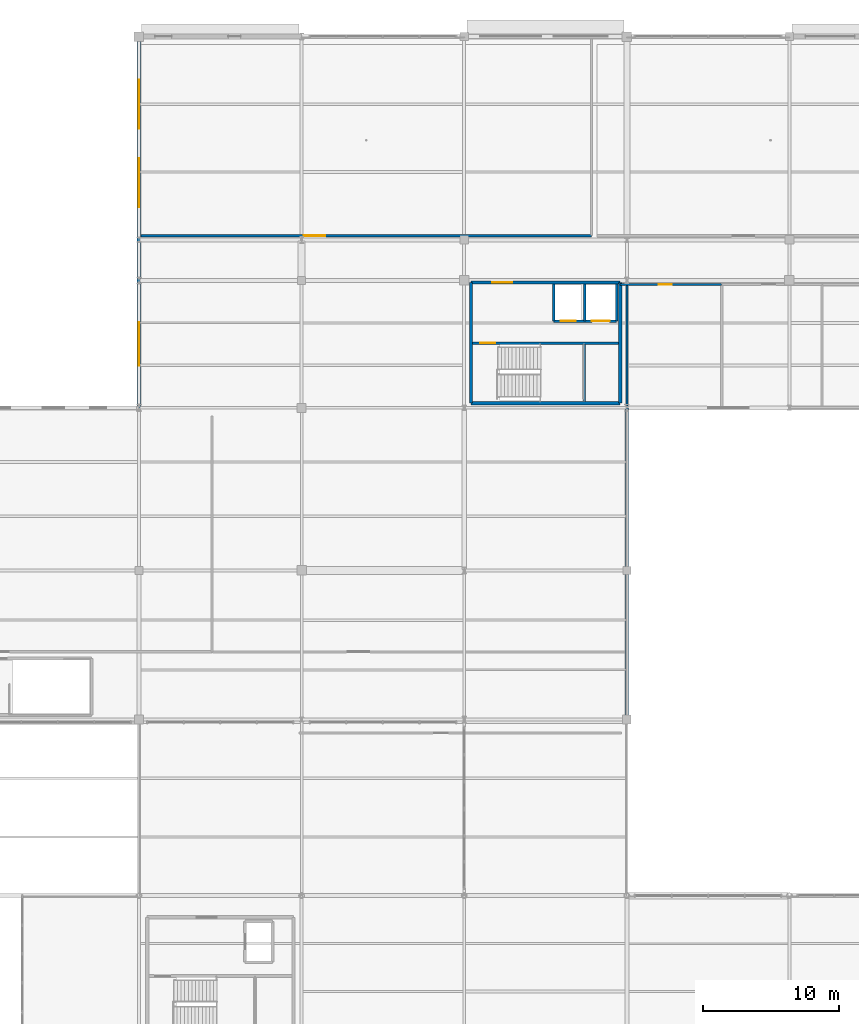
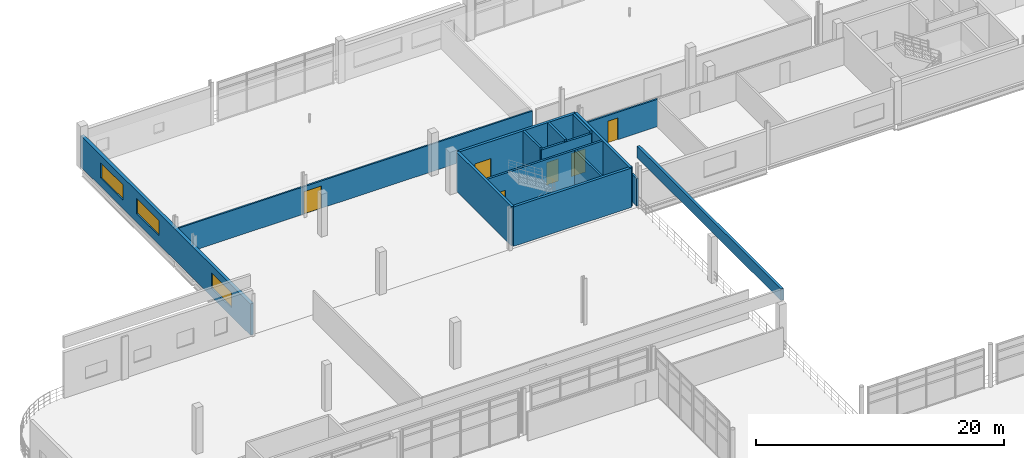
# One storey, part 67 of 89: 15 walls, 6 doors, 3 windows, 9 openings.
"""IFC4 building model written with IfcOpenShell, lengths in metres."""

from ifc_helpers import new_model, si_unit, direction, frame, frame_2d, origin, place, context, subcontext, project, spatial, rectangle, extrude, material, layer, layer_set, type_object, element, fill, save


model = new_model("IFC4")

# Units and contexts
model_context = context("Model", 3, precision=1e-05, world=origin(), true_north=direction((0.0, 1.0)))
body_context = subcontext(model_context, "Body", "Model", "MODEL_VIEW")
ifc_project = project(units=[si_unit("LENGTHUNIT", "METRE"), si_unit("AREAUNIT", "SQUARE_METRE"), si_unit("VOLUMEUNIT", "CUBIC_METRE"), si_unit("PLANEANGLEUNIT", "RADIAN"), si_unit("MASSUNIT", "GRAM", prefix="KILO"), si_unit("THERMODYNAMICTEMPERATUREUNIT", "KELVIN"), si_unit("POWERUNIT", "WATT")], contexts=[model_context])

# Site, building, storey
site_placement = place(None, origin())
site = spatial("IfcSite", under=ifc_project, at=site_placement, CompositionType="ELEMENT")
building_placement = place(site_placement, origin())
building = spatial("IfcBuilding", under=site, at=building_placement, Name="Solmara Park Aquatics Centre", CompositionType="ELEMENT")
storey_placement = place(building_placement, frame((0.0, 0.0, 5.39990234375)))
storey = spatial("IfcBuildingStorey", under=building, at=storey_placement, Name="L01", CompositionType="ELEMENT", Elevation=5.39990234375)

# Wall
ifc_material_1 = material(Name="Concrete C40/50", Category="concrete")
ifc_layer_1 = layer(ifc_material_1, 0.25, Name="Concrete C40/50")
ifc_layer_set_1 = layer_set([ifc_layer_1], Name="Concrete C40/50")
wall_type_1 = type_object("IfcWallType", Name="ARC-WL-CORE250", PredefinedType="SHEAR", material=ifc_layer_set_1)
wall_1_placement = place(storey_placement, frame((49.10009765625, 108.949951171875, 0.0), z_axis=(0.0, 0.0, 1.0), x_axis=(1.0, 0.0, 0.0)))
element("IfcWall", 1, at=wall_1_placement, inside=storey, type_object=wall_type_1, Name="CORE-1 Core Wall S L01", PredefinedType="SHEAR", context=body_context, shape_type="SweptSolid", body=[
    extrude(rectangle(XDim=11.0, YDim=0.25, at=frame_2d((5.5, 0.0))), origin(), (0.0, 0.0, 1.0), 3.880126953125),
])

# Wall, opening, door
wall_2_placement = place(storey_placement, frame((49.10009765625, 117.85009765625, 0.0), z_axis=(0.0, 0.0, 1.0), x_axis=(1.0, 0.0, 0.0)))
wall_2 = element("IfcWall", 2, at=wall_2_placement, inside=storey, type_object=wall_type_1, Name="CORE-1 Core Wall N L01", PredefinedType="SHEAR", context=body_context, shape_type="SweptSolid", body=[
    extrude(rectangle(XDim=11.0, YDim=0.25, at=frame_2d((5.5, 0.0))), origin(), (0.0, 0.0, 1.0), 3.880126953125),
])
opening_1_placement = place(wall_2_placement, frame((1.550048828125, 0.0, 0.0)))
opening_1 = element("IfcOpeningElement", 3, at=opening_1_placement, cuts=wall_2, Name="Opening D-12", PredefinedType="OPENING", context=body_context, shape_type="SweptSolid", body=[
    extrude(rectangle(XDim=1.5, YDim=2.199951171875, at=frame_2d((0.75, 1.10009765625))), frame((0.0, 0.135009765625, 0.0), z_axis=(0.0, -1.0, 0.0), x_axis=(1.0, 0.0, 0.0)), (0.0, 0.0, 1.0), 0.27001953125),
])
ifc_material_2 = material(Name="Moisture-Resistant HPL & Hardwood", Category="wood")
door_type_1 = type_object("IfcDoorType", Name="ARC-DR-FD150x220", OperationType="DOUBLE_DOOR_SINGLE_SWING", PredefinedType="DOOR", material=ifc_material_2)
door_1_placement = place(opening_1_placement, origin())
door_1 = element("IfcDoor", 4, at=door_1_placement, inside=storey, type_object=door_type_1, Name="CORE-1 Lobby Entry Fire Door L01", OperationType="DOUBLE_DOOR_SINGLE_SWING", OverallHeight=2.199951171875, OverallWidth=1.5, PredefinedType="DOOR", context=body_context, shape_type="SweptSolid", body=[
    extrude(rectangle(XDim=1.5, YDim=2.199951171875, at=frame_2d((0.75, 1.10009765625))), frame((0.0, 0.02490234375, 0.0), z_axis=(0.0, -1.0, 0.0), x_axis=(1.0, 0.0, 0.0)), (0.0, 0.0, 1.0), 0.050048828125),
])
fill(opening_1, door_1)

# Walls
for number, where, z_axis, x_axis, name in (
    (5, (49.10009765625, 108.949951171875, 0.0), (0.0, 0.0, 1.0), (0.0, 1.0, 0.0), "CORE-1 Core Wall W L01"),
    (6, (60.10009765625, 108.949951171875, 0.0), (0.0, 0.0, 1.0), (0.0, 1.0, 0.0), "CORE-1 Core Wall E L01"),
):
    element("IfcWall", number, at=place(storey_placement, frame(where, z_axis=z_axis, x_axis=x_axis)), inside=storey, type_object=wall_type_1, Name=name, PredefinedType="SHEAR", context=body_context, shape_type="SweptSolid", body=[
        extrude(rectangle(XDim=8.900146484375, YDim=0.25, at=frame_2d((4.4501953125, 0.0))), origin(), (0.0, 0.0, 1.0), 3.880126953125),
    ])

# Wall, openings, windows
ifc_material_3 = material(Name="Insulated Limestone Render Wall", Category="masonry")
ifc_layer_2 = layer(ifc_material_3, 0.300048828125, Name="Insulated Limestone Render Wall")
ifc_layer_set_2 = layer_set([ifc_layer_2], Name="Insulated Limestone Render Wall")
wall_type_2 = type_object("IfcWallType", Name="ARC-WL-EXT300", PredefinedType="SOLIDWALL", material=ifc_layer_set_2)
wall_3_placement = place(storey_placement, frame((24.60009765625, 108.60009765625, 0.0), z_axis=(0.0, 0.0, 1.0), x_axis=(0.0, 1.0, 0.0)))
wall_3 = element("IfcWall", 7, at=wall_3_placement, inside=storey, type_object=wall_type_2, Name="Exterior Facade Wall EW-L01-028", PredefinedType="SOLIDWALL", context=body_context, shape_type="SweptSolid", body=[
    extrude(rectangle(XDim=27.39990234375, YDim=0.300048828125, at=frame_2d((13.699951171875, 0.0))), origin(), (0.0, 0.0, 1.0), 3.080078125),
])
opening_2_placement = place(wall_3_placement, frame((3.10009765625, 0.0, 0.85009765625)))
opening_2 = element("IfcOpeningElement", 8, at=opening_2_placement, cuts=wall_3, Name="Opening W-14", PredefinedType="OPENING", context=body_context, shape_type="SweptSolid", body=[
    extrude(rectangle(XDim=3.199951171875, YDim=1.5, at=frame_2d((1.60009765625, 0.75))), frame((0.0, 0.159912109375, 0.0), z_axis=(0.0, -1.0, 0.0), x_axis=(1.0, 0.0, 0.0)), (0.0, 0.0, 1.0), 0.320068359375),
])
opening_3_placement = place(wall_3_placement, frame((14.800048828125, 0.0, 0.85009765625)))
opening_3 = element("IfcOpeningElement", 9, at=opening_3_placement, cuts=wall_3, Name="Opening W-13", PredefinedType="OPENING", context=body_context, shape_type="SweptSolid", body=[
    extrude(rectangle(XDim=3.60009765625, YDim=1.5, at=frame_2d((1.800048828125, 0.75))), frame((0.0, 0.159912109375, 0.0), z_axis=(0.0, -1.0, 0.0), x_axis=(1.0, 0.0, 0.0)), (0.0, 0.0, 1.0), 0.320068359375),
])
opening_4_placement = place(wall_3_placement, frame((20.60009765625, 0.0, 0.85009765625)))
opening_4 = element("IfcOpeningElement", 10, at=opening_4_placement, cuts=wall_3, Name="Opening W-13", PredefinedType="OPENING", context=body_context, shape_type="SweptSolid", body=[
    extrude(rectangle(XDim=3.60009765625, YDim=1.5, at=frame_2d((1.800048828125, 0.75))), frame((0.0, 0.159912109375, 0.0), z_axis=(0.0, -1.0, 0.0), x_axis=(1.0, 0.0, 0.0)), (0.0, 0.0, 1.0), 0.320068359375),
])
ifc_material_4 = material(Name="Thermally Broken Aluminium and Low-E Double Glazing", Category="aluminium")
window_type_1 = type_object("IfcWindowType", Name="ARC-WN-320x150", PartitioningType="DOUBLE_PANEL_HORIZONTAL", PredefinedType="WINDOW", material=ifc_material_4)
window_1_placement = place(opening_2_placement, origin())
window_1 = element("IfcWindow", 11, at=window_1_placement, inside=storey, type_object=window_type_1, Name="Ribbon Window WN-068", OverallHeight=1.5, OverallWidth=3.199951171875, PartitioningType="DOUBLE_PANEL_HORIZONTAL", PredefinedType="WINDOW", context=body_context, shape_type="SweptSolid", body=[
    extrude(rectangle(XDim=3.199951171875, YDim=1.5, at=frame_2d((1.60009765625, 0.75))), frame((0.0, 0.030029296875, 0.0), z_axis=(0.0, -1.0, 0.0), x_axis=(1.0, 0.0, 0.0)), (0.0, 0.0, 1.0), 0.06005859375),
])
fill(opening_2, window_1)
window_type_2 = type_object("IfcWindowType", Name="ARC-WN-360x150", PartitioningType="TRIPLE_PANEL_HORIZONTAL", PredefinedType="WINDOW", material=ifc_material_4)
window_2_placement = place(opening_3_placement, origin())
window_2 = element("IfcWindow", 12, at=window_2_placement, inside=storey, type_object=window_type_2, Name="Ribbon Window WN-069", OverallHeight=1.5, OverallWidth=3.60009765625, PartitioningType="TRIPLE_PANEL_HORIZONTAL", PredefinedType="WINDOW", context=body_context, shape_type="SweptSolid", body=[
    extrude(rectangle(XDim=3.60009765625, YDim=1.5, at=frame_2d((1.800048828125, 0.75))), frame((0.0, 0.030029296875, 0.0), z_axis=(0.0, -1.0, 0.0), x_axis=(1.0, 0.0, 0.0)), (0.0, 0.0, 1.0), 0.06005859375),
])
fill(opening_3, window_2)
window_3_placement = place(opening_4_placement, origin())
window_3 = element("IfcWindow", 13, at=window_3_placement, inside=storey, type_object=window_type_2, Name="Ribbon Window WN-070", OverallHeight=1.5, OverallWidth=3.60009765625, PartitioningType="TRIPLE_PANEL_HORIZONTAL", PredefinedType="WINDOW", context=body_context, shape_type="SweptSolid", body=[
    extrude(rectangle(XDim=3.60009765625, YDim=1.5, at=frame_2d((1.800048828125, 0.75))), frame((0.0, 0.030029296875, 0.0), z_axis=(0.0, -1.0, 0.0), x_axis=(1.0, 0.0, 0.0)), (0.0, 0.0, 1.0), 0.06005859375),
])
fill(opening_4, window_3)

# Wall, openings, doors
ifc_material_5 = material(Name="Concrete C25/30 Autoclaved Aerated Fire Blockwork", Category="masonry")
ifc_layer_3 = layer(ifc_material_5, 0.199951171875, Name="Concrete C25/30 Autoclaved Aerated Fire Blockwork")
ifc_layer_set_3 = layer_set([ifc_layer_3], Name="Concrete C25/30 Autoclaved Aerated Fire Blockwork")
wall_type_3 = type_object("IfcWallType", Name="ARC-WL-FIRE200", PredefinedType="SOLIDWALL", material=ifc_layer_set_3)
wall_4_placement = place(storey_placement, frame((55.199951171875, 115.0, 0.0), z_axis=(0.0, 0.0, 1.0), x_axis=(1.0, 0.0, 0.0)))
wall_4 = element("IfcWall", 14, at=wall_4_placement, inside=storey, type_object=wall_type_3, Name="CORE-1 Lift Shaft Front Wall L01", PredefinedType="SOLIDWALL", context=body_context, shape_type="SweptSolid", body=[
    extrude(rectangle(XDim=4.650146484375, YDim=0.199951171875, at=frame_2d((2.3251953125, 0.0))), origin(), (0.0, 0.0, 1.0), 3.670166015625),
])
opening_5_placement = place(wall_4_placement, frame((2.824951171875, 0.0, 0.0)))
opening_5 = element("IfcOpeningElement", 15, at=opening_5_placement, cuts=wall_4, Name="Opening D-10", PredefinedType="OPENING", context=body_context, shape_type="SweptSolid", body=[
    extrude(rectangle(XDim=1.300048828125, YDim=2.300048828125, at=frame_2d((0.64990234375, 1.14990234375))), frame((0.0, 0.10986328125, 0.0), z_axis=(0.0, -1.0, 0.0), x_axis=(1.0, 0.0, 0.0)), (0.0, 0.0, 1.0), 0.219970703125),
])
opening_6_placement = place(wall_4_placement, frame((0.52490234375, 0.0, 0.0)))
opening_6 = element("IfcOpeningElement", 16, at=opening_6_placement, cuts=wall_4, Name="Opening D-09", PredefinedType="OPENING", context=body_context, shape_type="SweptSolid", body=[
    extrude(rectangle(XDim=1.10009765625, YDim=2.199951171875, at=frame_2d((0.550048828125, 1.10009765625))), frame((0.0, 0.10986328125, 0.0), z_axis=(0.0, -1.0, 0.0), x_axis=(1.0, 0.0, 0.0)), (0.0, 0.0, 1.0), 0.219970703125),
])
ifc_material_6 = material(Name="Stainless Steel", Category="steel")
door_type_2 = type_object("IfcDoorType", Name="ARC-DR-LD110x220", OperationType="DOUBLE_DOOR_SLIDING", PredefinedType="DOOR", material=ifc_material_6)
door_2_placement = place(opening_6_placement, frame((1.10009765625, 0.0, 0.0), z_axis=(0.0, 0.0, 1.0), x_axis=(-1.0, 0.0, 0.0)))
door_2 = element("IfcDoor", 17, at=door_2_placement, inside=storey, type_object=door_type_2, Name="LF-02 Lift Landing Door L01", OperationType="DOUBLE_DOOR_SLIDING", OverallHeight=2.199951171875, OverallWidth=1.10009765625, PredefinedType="DOOR", context=body_context, shape_type="SweptSolid", body=[
    extrude(rectangle(XDim=1.10009765625, YDim=2.199951171875, at=frame_2d((0.550048828125, 1.10009765625))), frame((0.0, 0.02490234375, 0.0), z_axis=(0.0, -1.0, 0.0), x_axis=(1.0, 0.0, 0.0)), (0.0, 0.0, 1.0), 0.050048828125),
])
fill(opening_6, door_2)
door_type_3 = type_object("IfcDoorType", Name="ARC-DR-LD130x230", OperationType="DOUBLE_DOOR_SLIDING", PredefinedType="DOOR", material=ifc_material_6)
door_3_placement = place(opening_5_placement, frame((1.300048828125, 0.0, 0.0), z_axis=(0.0, 0.0, 1.0), x_axis=(-1.0, 0.0, 0.0)))
door_3 = element("IfcDoor", 18, at=door_3_placement, inside=storey, type_object=door_type_3, Name="LF-01 Lift Landing Door L01", OperationType="DOUBLE_DOOR_SLIDING", OverallHeight=2.300048828125, OverallWidth=1.300048828125, PredefinedType="DOOR", context=body_context, shape_type="SweptSolid", body=[
    extrude(rectangle(XDim=1.300048828125, YDim=2.300048828125, at=frame_2d((0.64990234375, 1.14990234375))), frame((0.0, 0.02490234375, 0.0), z_axis=(0.0, -1.0, 0.0), x_axis=(1.0, 0.0, 0.0)), (0.0, 0.0, 1.0), 0.050048828125),
])
fill(opening_5, door_3)

# Walls
for number, where, z_axis, x_axis, name in (
    (19, (57.5, 115.0, 0.0), (0.0, 0.0, 1.0), (0.0, 1.0, 0.0), "LF-01 Lift Shaft W Wall L01"),
    (20, (59.85009765625, 115.0, 0.0), (0.0, 0.0, 1.0), (0.0, 1.0, 0.0), "LF-01 Lift Shaft E Wall L01"),
    (21, (55.199951171875, 115.0, 0.0), (0.0, 0.0, 1.0), (0.0, 1.0, 0.0), "LF-02 Lift Shaft W Wall L01"),
):
    element("IfcWall", number, at=place(storey_placement, frame(where, z_axis=z_axis, x_axis=x_axis)), inside=storey, type_object=wall_type_3, Name=name, PredefinedType="SOLIDWALL", context=body_context, shape_type="SweptSolid", body=[
        extrude(rectangle(XDim=2.75, YDim=0.199951171875, at=frame_2d((1.375, 0.0))), origin(), (0.0, 0.0, 1.0), 3.880126953125),
    ])

# Wall, opening, door
ifc_material_7 = material(Name="Cement-Rendered Masonry Partition", Category="masonry")
ifc_layer_4 = layer(ifc_material_7, 0.14990234375, Name="Cement-Rendered Masonry Partition")
ifc_layer_set_4 = layer_set([ifc_layer_4], Name="Cement-Rendered Masonry Partition")
wall_type_4 = type_object("IfcWallType", Name="ARC-WL-MAS150", PredefinedType="PARTITIONING", material=ifc_layer_set_4)
wall_5_placement = place(storey_placement, frame((24.75, 121.300048828125, 0.0), z_axis=(0.0, 0.0, 1.0), x_axis=(1.0, 0.0, 0.0)))
wall_5 = element("IfcWall", 22, at=wall_5_placement, inside=storey, type_object=wall_type_4, Name="Interior Partition IW-L01-0095 (L01-GYM-01)", PredefinedType="PARTITIONING", context=body_context, shape_type="SweptSolid", body=[
    extrude(rectangle(XDim=33.25, YDim=0.14990234375, at=frame_2d((16.625, 0.0))), origin(), (0.0, 0.0, 1.0), 2.7001953125),
])
opening_7_placement = place(wall_5_placement, frame((12.0, 0.0, 0.0)))
opening_7 = element("IfcOpeningElement", 23, at=opening_7_placement, cuts=wall_5, Name="Opening D-19", PredefinedType="OPENING", context=body_context, shape_type="SweptSolid", body=[
    extrude(rectangle(XDim=1.60009765625, YDim=2.199951171875, at=frame_2d((0.800048828125, 1.10009765625))), frame((0.0, 0.0849609375, 0.0), z_axis=(0.0, -1.0, 0.0), x_axis=(1.0, 0.0, 0.0)), (0.0, 0.0, 1.0), 0.169921875),
])
door_type_4 = type_object("IfcDoorType", Name="ARC-DR-DBL160x220", OperationType="DOUBLE_DOOR_SINGLE_SWING", PredefinedType="DOOR", material=ifc_material_2)
door_4_placement = place(opening_7_placement, origin())
door_4 = element("IfcDoor", 24, at=door_4_placement, inside=storey, type_object=door_type_4, Name="Strength and Conditioning Gymnasium Door", OperationType="DOUBLE_DOOR_SINGLE_SWING", OverallHeight=2.199951171875, OverallWidth=1.60009765625, PredefinedType="DOOR", context=body_context, shape_type="SweptSolid", body=[
    extrude(rectangle(XDim=1.60009765625, YDim=2.199951171875, at=frame_2d((0.800048828125, 1.10009765625))), frame((0.0, 0.02490234375, 0.0), z_axis=(0.0, -1.0, 0.0), x_axis=(1.0, 0.0, 0.0)), (0.0, 0.0, 1.0), 0.050048828125),
])
fill(opening_7, door_4)

# Walls
ifc_material_8 = material(Name="Precast Concrete C40/50", Category="concrete")
ifc_layer_5 = layer(ifc_material_8, 0.25, Name="Precast Concrete C40/50")
ifc_layer_set_5 = layer_set([ifc_layer_5], Name="Precast Concrete C40/50")
wall_type_5 = type_object("IfcWallType", Name="ARC-WL-PAR250", PredefinedType="PARAPET", material=ifc_layer_set_5)
wall_6_placement = place(storey_placement, frame((60.60009765625, 85.39990234375, 4.880126953125), z_axis=(0.0, 0.0, 1.0), x_axis=(0.0, 1.0, 0.0)))
element("IfcWall", 25, at=wall_6_placement, inside=storey, type_object=wall_type_5, Name="Roof Maintenance Parapet 05", PredefinedType="PARAPET", context=body_context, shape_type="SweptSolid", body=[
    extrude(rectangle(XDim=23.2001953125, YDim=0.25, at=frame_2d((11.60009765625, 0.0))), origin(), (0.0, 0.0, 1.0), 1.14990234375),
])
ifc_material_9 = material(Name="Waterproof Tile-Faced Wet-Area Plumbing Wall", Category="concrete")
ifc_layer_6 = layer(ifc_material_9, 0.159912109375, Name="Waterproof Tile-Faced Wet-Area Plumbing Wall")
ifc_layer_set_6 = layer_set([ifc_layer_6], Name="Waterproof Tile-Faced Wet-Area Plumbing Wall")
wall_type_6 = type_object("IfcWallType", Name="ARC-WL-WET160", PredefinedType="PLUMBINGWALL", material=ifc_layer_set_6)
wall_7_placement = place(storey_placement, frame((60.60009765625, 108.75, 0.0), z_axis=(0.0, 0.0, 1.0), x_axis=(0.0, 1.0, 0.0)))
element("IfcWall", 26, at=wall_7_placement, inside=storey, type_object=wall_type_6, Name="Interior Partition IW-L01-0102 (L01-WCM-01)", PredefinedType="PLUMBINGWALL", context=body_context, shape_type="SweptSolid", body=[
    extrude(rectangle(XDim=8.949951171875, YDim=0.159912109375, at=frame_2d((4.47509765625, 0.0))), origin(), (0.0, 0.0, 1.0), 2.7001953125),
])

# Wall, opening, door
wall_8_placement = place(storey_placement, frame((60.110107421875, 117.699951171875, 0.0), z_axis=(0.0, 0.0, 1.0), x_axis=(1.0, 0.0, 0.0)))
wall_8 = element("IfcWall", 27, at=wall_8_placement, inside=storey, type_object=wall_type_6, Name="Interior Partition IW-L01-0104 (L01-WCM-01)", PredefinedType="PLUMBINGWALL", context=body_context, shape_type="SweptSolid", body=[
    extrude(rectangle(XDim=7.489990234375, YDim=0.159912109375, at=frame_2d((3.7451171875, 0.0))), origin(), (0.0, 0.0, 1.0), 2.7001953125),
])
opening_8_placement = place(wall_8_placement, frame((2.840087890625, 0.0, 0.0)))
opening_8 = element("IfcOpeningElement", 28, at=opening_8_placement, cuts=wall_8, Name="Opening D-18", PredefinedType="OPENING", context=body_context, shape_type="SweptSolid", body=[
    extrude(rectangle(XDim=0.949951171875, YDim=2.14990234375, at=frame_2d((0.47509765625, 1.074951171875))), frame((0.0, 0.08984375, 0.0), z_axis=(0.0, -1.0, 0.0), x_axis=(1.0, 0.0, 0.0)), (0.0, 0.0, 1.0), 0.179931640625),
])
door_type_5 = type_object("IfcDoorType", Name="ARC-DR-WC95x220", OperationType="NOTDEFINED", PredefinedType="DOOR", material=ifc_material_2)
door_5_placement = place(opening_8_placement, origin())
door_5 = element("IfcDoor", 29, at=door_5_placement, inside=storey, type_object=door_type_5, Name="L01 Spectator and Gym Male Toilet Door", OperationType="SINGLE_SWING_RIGHT", OverallHeight=2.14990234375, OverallWidth=0.949951171875, PredefinedType="DOOR", context=body_context, shape_type="SweptSolid", body=[
    extrude(rectangle(XDim=0.949951171875, YDim=2.14990234375, at=frame_2d((0.47509765625, 1.074951171875))), frame((0.0, 0.02490234375, 0.0), z_axis=(0.0, -1.0, 0.0), x_axis=(1.0, 0.0, 0.0)), (0.0, 0.0, 1.0), 0.050048828125),
])
fill(opening_8, door_5)

ifc_material_10 = material(Name="Concrete C35/45", Category="concrete")
ifc_layer_7 = layer(ifc_material_10, 0.199951171875, Name="Concrete C35/45")
ifc_layer_set_7 = layer_set([ifc_layer_7], Name="Concrete C35/45")
wall_type_7 = type_object("IfcWallType", Name="STR-WL-STAIR200", PredefinedType="SHEAR", material=ifc_layer_set_7)
wall_9_placement = place(storey_placement, frame((49.219970703125, 113.375, 0.0), z_axis=(0.0, 0.0, 1.0), x_axis=(1.0, 0.0, 0.0)))
wall_9 = element("IfcWall", 30, at=wall_9_placement, inside=storey, type_object=wall_type_7, Name="CORE-1 Stairwell Compartment Wall L01", PredefinedType="SHEAR", context=body_context, shape_type="SweptSolid", body=[
    extrude(rectangle(XDim=10.760009765625, YDim=0.199951171875, at=frame_2d((5.3798828125, 0.0))), origin(), (0.0, 0.0, 1.0), 3.880126953125),
])
opening_9_placement = place(wall_9_placement, frame((0.580078125, 0.0, 0.0)))
opening_9 = element("IfcOpeningElement", 31, at=opening_9_placement, cuts=wall_9, Name="Opening D-11", PredefinedType="OPENING", context=body_context, shape_type="SweptSolid", body=[
    extrude(rectangle(XDim=1.10009765625, YDim=2.199951171875, at=frame_2d((0.550048828125, 1.10009765625))), frame((0.0, 0.10986328125, 0.0), z_axis=(0.0, -1.0, 0.0), x_axis=(1.0, 0.0, 0.0)), (0.0, 0.0, 1.0), 0.219970703125),
])
door_type_6 = type_object("IfcDoorType", Name="ARC-DR-FD110x220", OperationType="NOTDEFINED", PredefinedType="DOOR", material=ifc_material_2)
door_6_placement = place(opening_9_placement, origin())
door_6 = element("IfcDoor", 32, at=door_6_placement, inside=storey, type_object=door_type_6, Name="ST-01 Fire Door L01", OperationType="SINGLE_SWING_LEFT", OverallHeight=2.199951171875, OverallWidth=1.10009765625, PredefinedType="DOOR", context=body_context, shape_type="SweptSolid", body=[
    extrude(rectangle(XDim=1.10009765625, YDim=2.199951171875, at=frame_2d((0.550048828125, 1.10009765625))), frame((0.0, 0.02490234375, 0.0), z_axis=(0.0, -1.0, 0.0), x_axis=(1.0, 0.0, 0.0)), (0.0, 0.0, 1.0), 0.050048828125),
])
fill(opening_9, door_6)

# Wall
wall_10_placement = place(storey_placement, frame((57.4599609375, 109.070068359375, 0.0), z_axis=(0.0, 0.0, 1.0), x_axis=(0.0, 1.0, 0.0)))
element("IfcWall", 33, at=wall_10_placement, inside=storey, type_object=wall_type_7, Name="CORE-1 Stairwell East End Wall L01", PredefinedType="SHEAR", context=body_context, shape_type="SweptSolid", body=[
    extrude(rectangle(XDim=4.204833984375, YDim=0.199951171875, at=frame_2d((2.1025390625, 0.0))), origin(), (0.0, 0.0, 1.0), 3.880126953125),
])

save(model, "model.ifc")
